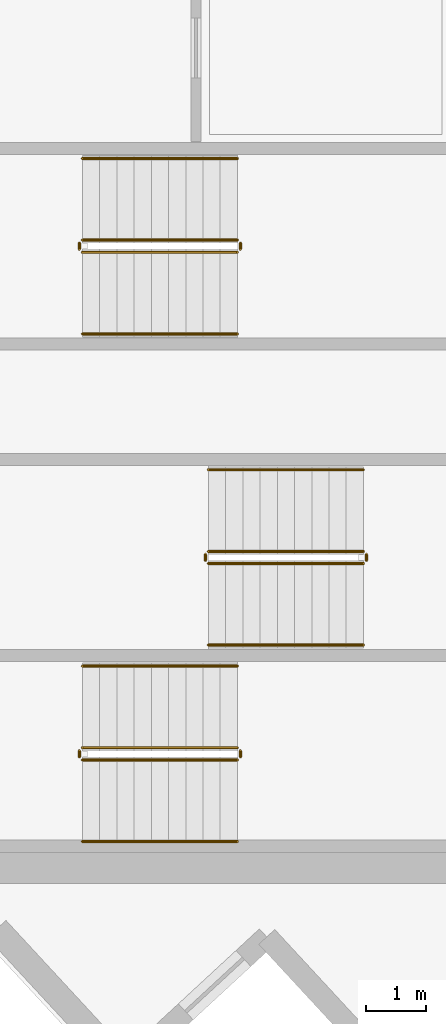
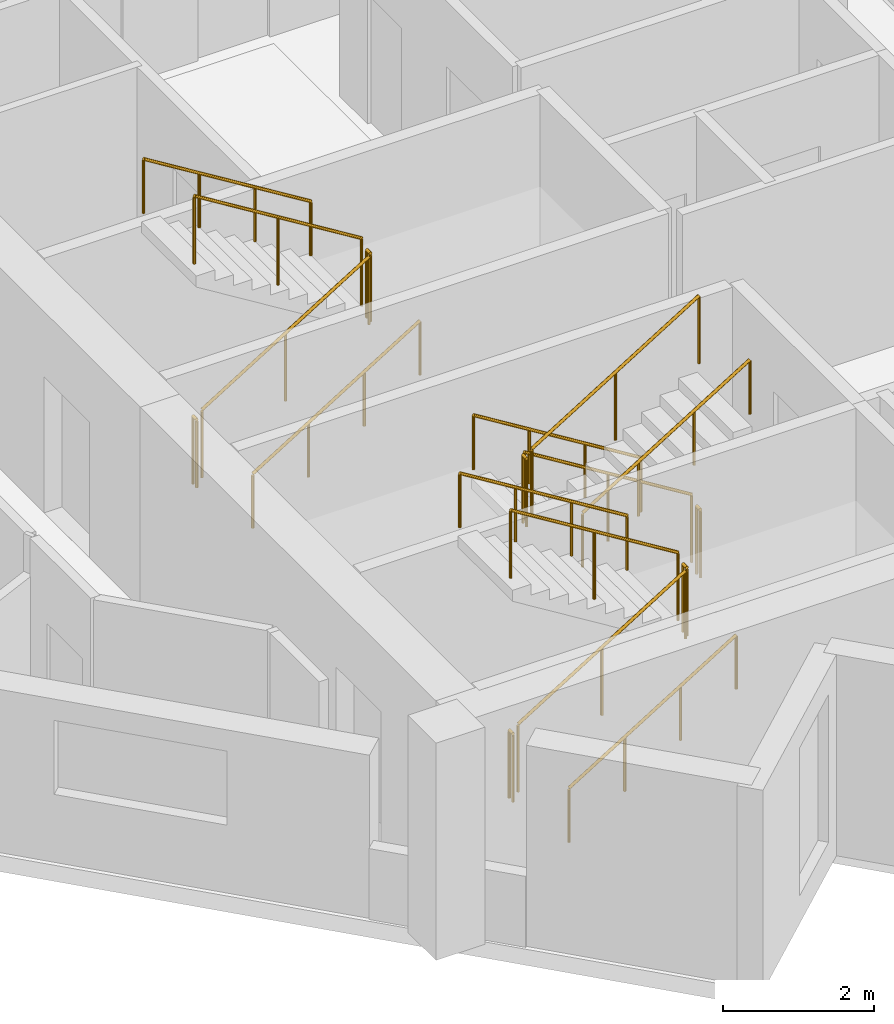
# One storey, part 12 of 13: 18 railings.
"""IFC4 building model written with IfcOpenShell, lengths in metres."""

from ifc_helpers import new_model, si_unit, direction, frame, origin, origin_2d, place, context, subcontext, project, spatial, circle, extrude, material, type_object, element, save


model = new_model("IFC4")

# Units and contexts
model_context = context("Model", 3, precision=1e-05, world=origin(), true_north=direction((0.0, 1.0)))
body_context = subcontext(model_context, "Body", "Model", "MODEL_VIEW")
ifc_project = project(units=[si_unit("LENGTHUNIT", "METRE"), si_unit("AREAUNIT", "SQUARE_METRE"), si_unit("VOLUMEUNIT", "CUBIC_METRE"), si_unit("PLANEANGLEUNIT", "RADIAN"), si_unit("MASSUNIT", "GRAM", prefix="KILO")], contexts=[model_context])

# Site, building, storey
site_placement = place(None, origin())
site = spatial("IfcSite", under=ifc_project, at=site_placement, CompositionType="ELEMENT")
building_placement = place(site_placement, origin())
building = spatial("IfcBuilding", under=site, at=building_placement, Name="Narakoshi Arena Tower", CompositionType="ELEMENT")
storey_placement = place(building_placement, frame((0.0, 0.0, 278.340087890625)))
storey = spatial("IfcBuildingStorey", under=building, at=storey_placement, Name="L76", CompositionType="ELEMENT", Elevation=278.340087890625)

# Railings
ifc_material_1 = material(Name="Clear low-iron laminated structural glass", Category="glass")
railing_type_1 = type_object("IfcRailingType", Name="RL-BAL-1100", PredefinedType="BALUSTRADE", material=ifc_material_1)
railing_1_placement = place(storey_placement, frame((74.39990234375, 36.949951171875, 0.176025390625)))
element("IfcRailing", 1, at=railing_1_placement, inside=storey, type_object=railing_type_1, Name="L76 ST1 stair guard 1", PredefinedType="BALUSTRADE", context=body_context, shape_type="SweptSolid", body=[
    extrude(circle(Radius=0.02392578125, at=origin_2d()), frame((0.0, 0.0, 1.09619140625), z_axis=(0.850856559306, 0.0, 0.525398054323), x_axis=(0.0, 1.0, 0.0)), (0.0, 0.0, 1.0), 3.014892578125),
    extrude(circle(Radius=0.02099609375, at=origin_2d()), origin(), (0.0, 0.0, 1.0), 1.072021484375),
    extrude(circle(Radius=0.02099609375, at=origin_2d()), frame((1.28271484375, 0.0, 0.7919921875)), (0.0, 0.0, 1.0), 1.072021484375),
    extrude(circle(Radius=0.02099609375, at=origin_2d()), frame((2.565185546875, 0.0, 1.583984375)), (0.0, 0.0, 1.0), 1.072021484375),
])
railing_2_placement = place(storey_placement, frame((77.014892578125, 37.0, 1.760009765625)))
element("IfcRailing", 2, at=railing_2_placement, inside=storey, type_object=railing_type_1, Name="L76 ST1 stair guard 2", PredefinedType="BALUSTRADE", context=body_context, shape_type="SweptSolid", body=[
    extrude(circle(Radius=0.02392578125, at=origin_2d()), frame((0.0, 0.0, 1.09619140625), z_axis=(0.0, 1.0, 0.0), x_axis=(-1.0, 0.0, 0.0)), (0.0, 0.0, 1.0), 0.10009765625),
    extrude(circle(Radius=0.02099609375, at=origin_2d()), origin(), (0.0, 0.0, 1.0), 1.072021484375),
    extrude(circle(Radius=0.02099609375, at=origin_2d()), frame((0.0, 0.10009765625, 0.0)), (0.0, 0.0, 1.0), 1.072021484375),
])
railing_3_placement = place(storey_placement, frame((76.965087890625, 37.14990234375, 1.935791015625)))
element("IfcRailing", 3, at=railing_3_placement, inside=storey, type_object=railing_type_1, Name="L76 ST1 stair guard 3", PredefinedType="BALUSTRADE", context=body_context, shape_type="SweptSolid", body=[
    extrude(circle(Radius=0.02392578125, at=origin_2d()), frame((0.0, 0.0, 1.09619140625), z_axis=(-0.850820357671, 0.0, 0.52545667659), x_axis=(0.0, -1.0, 0.0)), (0.0, 0.0, 1.0), 3.014892578125),
    extrude(circle(Radius=0.02099609375, at=origin_2d()), origin(), (0.0, 0.0, 1.0), 1.072021484375),
    extrude(circle(Radius=0.02099609375, at=origin_2d()), frame((-1.28271484375, 0.0, 0.7919921875)), (0.0, 0.0, 1.0), 1.072021484375),
    extrude(circle(Radius=0.02099609375, at=origin_2d()), frame((-2.565185546875, 0.0, 1.584228515625)), (0.0, 0.0, 1.0), 1.072021484375),
])
railing_4_placement = place(storey_placement, frame((74.35009765625, 37.0, 0.0)))
element("IfcRailing", 4, at=railing_4_placement, inside=storey, type_object=railing_type_1, Name="L76 ST1 stair guard 4", PredefinedType="BALUSTRADE", context=body_context, shape_type="SweptSolid", body=[
    extrude(circle(Radius=0.02392578125, at=origin_2d()), frame((0.0, 0.0, 1.09619140625), z_axis=(0.0, 1.0, 0.0), x_axis=(-1.0, 0.0, 0.0)), (0.0, 0.0, 1.0), 0.10009765625),
    extrude(circle(Radius=0.02099609375, at=origin_2d()), origin(), (0.0, 0.0, 1.0), 1.072021484375),
    extrude(circle(Radius=0.02099609375, at=origin_2d()), frame((0.0, 0.10009765625, 0.0)), (0.0, 0.0, 1.0), 1.072021484375),
])
railing_5_placement = place(storey_placement, frame((79.050048828125, 40.39990234375, 0.176025390625)))
element("IfcRailing", 5, at=railing_5_placement, inside=storey, type_object=railing_type_1, Name="L76 ST2 stair guard 1", PredefinedType="BALUSTRADE", context=body_context, shape_type="SweptSolid", body=[
    extrude(circle(Radius=0.02392578125, at=origin_2d()), frame((0.0, 0.0, 1.09619140625), z_axis=(-0.850834203031, 0.0, 0.525434257497), x_axis=(0.0, -1.0, 0.0)), (0.0, 0.0, 1.0), 3.0146484375),
    extrude(circle(Radius=0.02099609375, at=origin_2d()), origin(), (0.0, 0.0, 1.0), 1.072021484375),
    extrude(circle(Radius=0.02099609375, at=origin_2d()), frame((-1.282470703125, 0.0, 0.7919921875)), (0.0, 0.0, 1.0), 1.072021484375),
    extrude(circle(Radius=0.02099609375, at=origin_2d()), frame((-2.56494140625, 0.0, 1.583984375)), (0.0, 0.0, 1.0), 1.072021484375),
])
railing_6_placement = place(storey_placement, frame((76.43505859375, 40.35009765625, 1.760009765625)))
element("IfcRailing", 6, at=railing_6_placement, inside=storey, type_object=railing_type_1, Name="L76 ST2 stair guard 2", PredefinedType="BALUSTRADE", context=body_context, shape_type="SweptSolid", body=[
    extrude(circle(Radius=0.02392578125, at=origin_2d()), frame((0.0, 0.0, 1.09619140625), z_axis=(0.0, -1.0, 0.0), x_axis=(1.0, 0.0, 0.0)), (0.0, 0.0, 1.0), 0.10009765625),
    extrude(circle(Radius=0.02099609375, at=origin_2d()), origin(), (0.0, 0.0, 1.0), 1.072021484375),
    extrude(circle(Radius=0.02099609375, at=origin_2d()), frame((0.0, -0.10009765625, 0.0)), (0.0, 0.0, 1.0), 1.072021484375),
])
railing_7_placement = place(storey_placement, frame((76.485107421875, 40.199951171875, 1.935791015625)))
element("IfcRailing", 7, at=railing_7_placement, inside=storey, type_object=railing_type_1, Name="L76 ST2 stair guard 3", PredefinedType="BALUSTRADE", context=body_context, shape_type="SweptSolid", body=[
    extrude(circle(Radius=0.02392578125, at=origin_2d()), frame((0.0, 0.0, 1.09619140625), z_axis=(0.850797997359, 0.0, 0.525492880722), x_axis=(0.0, 1.0, 0.0)), (0.0, 0.0, 1.0), 3.0146484375),
    extrude(circle(Radius=0.02099609375, at=origin_2d()), origin(), (0.0, 0.0, 1.0), 1.072021484375),
    extrude(circle(Radius=0.02099609375, at=origin_2d()), frame((1.282470703125, 0.0, 0.7919921875)), (0.0, 0.0, 1.0), 1.072021484375),
    extrude(circle(Radius=0.02099609375, at=origin_2d()), frame((2.56494140625, 0.0, 1.584228515625)), (0.0, 0.0, 1.0), 1.072021484375),
])
railing_8_placement = place(storey_placement, frame((79.10009765625, 40.35009765625, 0.0)))
element("IfcRailing", 8, at=railing_8_placement, inside=storey, type_object=railing_type_1, Name="L76 ST2 stair guard 4", PredefinedType="BALUSTRADE", context=body_context, shape_type="SweptSolid", body=[
    extrude(circle(Radius=0.02392578125, at=origin_2d()), frame((0.0, 0.0, 1.09619140625), z_axis=(0.0, -1.0, 0.0), x_axis=(1.0, 0.0, 0.0)), (0.0, 0.0, 1.0), 0.10009765625),
    extrude(circle(Radius=0.02099609375, at=origin_2d()), origin(), (0.0, 0.0, 1.0), 1.072021484375),
    extrude(circle(Radius=0.02099609375, at=origin_2d()), frame((0.0, -0.10009765625, 0.0)), (0.0, 0.0, 1.0), 1.072021484375),
])
railing_9_placement = place(storey_placement, frame((74.39990234375, 45.35009765625, 0.176025390625)))
element("IfcRailing", 9, at=railing_9_placement, inside=storey, type_object=railing_type_1, Name="L76 ST3 stair guard 1", PredefinedType="BALUSTRADE", context=body_context, shape_type="SweptSolid", body=[
    extrude(circle(Radius=0.02392578125, at=origin_2d()), frame((0.0, 0.0, 1.09619140625), z_axis=(0.850856559306, 0.0, 0.525398054323), x_axis=(0.0, 1.0, 0.0)), (0.0, 0.0, 1.0), 3.014892578125),
    extrude(circle(Radius=0.02099609375, at=origin_2d()), origin(), (0.0, 0.0, 1.0), 1.072021484375),
    extrude(circle(Radius=0.02099609375, at=origin_2d()), frame((1.28271484375, 0.0, 0.7919921875)), (0.0, 0.0, 1.0), 1.072021484375),
    extrude(circle(Radius=0.02099609375, at=origin_2d()), frame((2.565185546875, 0.0, 1.583984375)), (0.0, 0.0, 1.0), 1.072021484375),
])
railing_10_placement = place(storey_placement, frame((77.014892578125, 45.39990234375, 1.760009765625)))
element("IfcRailing", 10, at=railing_10_placement, inside=storey, type_object=railing_type_1, Name="L76 ST3 stair guard 2", PredefinedType="BALUSTRADE", context=body_context, shape_type="SweptSolid", body=[
    extrude(circle(Radius=0.02392578125, at=origin_2d()), frame((0.0, 0.0, 1.09619140625), z_axis=(0.0, 1.0, 0.0), x_axis=(-1.0, 0.0, 0.0)), (0.0, 0.0, 1.0), 0.10009765625),
    extrude(circle(Radius=0.02099609375, at=origin_2d()), origin(), (0.0, 0.0, 1.0), 1.072021484375),
    extrude(circle(Radius=0.02099609375, at=origin_2d()), frame((0.0, 0.10009765625, 0.0)), (0.0, 0.0, 1.0), 1.072021484375),
])
railing_11_placement = place(storey_placement, frame((76.965087890625, 45.550048828125, 1.935791015625)))
element("IfcRailing", 11, at=railing_11_placement, inside=storey, type_object=railing_type_1, Name="L76 ST3 stair guard 3", PredefinedType="BALUSTRADE", context=body_context, shape_type="SweptSolid", body=[
    extrude(circle(Radius=0.02392578125, at=origin_2d()), frame((0.0, 0.0, 1.09619140625), z_axis=(-0.850820357671, 0.0, 0.52545667659), x_axis=(0.0, -1.0, 0.0)), (0.0, 0.0, 1.0), 3.014892578125),
    extrude(circle(Radius=0.02099609375, at=origin_2d()), origin(), (0.0, 0.0, 1.0), 1.072021484375),
    extrude(circle(Radius=0.02099609375, at=origin_2d()), frame((-1.28271484375, 0.0, 0.7919921875)), (0.0, 0.0, 1.0), 1.072021484375),
    extrude(circle(Radius=0.02099609375, at=origin_2d()), frame((-2.565185546875, 0.0, 1.584228515625)), (0.0, 0.0, 1.0), 1.072021484375),
])
railing_12_placement = place(storey_placement, frame((74.35009765625, 45.39990234375, 0.0)))
element("IfcRailing", 12, at=railing_12_placement, inside=storey, type_object=railing_type_1, Name="L76 ST3 stair guard 4", PredefinedType="BALUSTRADE", context=body_context, shape_type="SweptSolid", body=[
    extrude(circle(Radius=0.02392578125, at=origin_2d()), frame((0.0, 0.0, 1.09619140625), z_axis=(0.0, 1.0, 0.0), x_axis=(-1.0, 0.0, 0.0)), (0.0, 0.0, 1.0), 0.10009765625),
    extrude(circle(Radius=0.02099609375, at=origin_2d()), origin(), (0.0, 0.0, 1.0), 1.072021484375),
    extrude(circle(Radius=0.02099609375, at=origin_2d()), frame((0.0, 0.10009765625, 0.0)), (0.0, 0.0, 1.0), 1.072021484375),
])
ifc_material_2 = material(Name="Brushed bronze stainless steel", Category="steel")
railing_type_2 = type_object("IfcRailingType", Name="RL-HND-900", PredefinedType="HANDRAIL", material=ifc_material_2)
railing_13_placement = place(storey_placement, frame((74.39990234375, 35.60009765625, 0.176025390625)))
element("IfcRailing", 13, at=railing_13_placement, inside=storey, type_object=railing_type_2, Name="L76 ST1 stair handrail 1", PredefinedType="HANDRAIL", context=body_context, shape_type="SweptSolid", body=[
    extrude(circle(Radius=0.02392578125, at=origin_2d()), frame((0.0, 0.0, 0.8759765625), z_axis=(0.850856559306, 0.0, 0.525398054323), x_axis=(0.0, 1.0, 0.0)), (0.0, 0.0, 1.0), 3.014892578125),
    extrude(circle(Radius=0.02099609375, at=origin_2d()), origin(), (0.0, 0.0, 1.0), 0.851806640625),
    extrude(circle(Radius=0.02099609375, at=origin_2d()), frame((0.85498046875, 0.0, 0.528076171875)), (0.0, 0.0, 1.0), 0.851806640625),
    extrude(circle(Radius=0.02099609375, at=origin_2d()), frame((1.710205078125, 0.0, 1.055908203125)), (0.0, 0.0, 1.0), 0.851806640625),
    extrude(circle(Radius=0.02099609375, at=origin_2d()), frame((2.565185546875, 0.0, 1.583984375)), (0.0, 0.0, 1.0), 0.851806640625),
])
railing_14_placement = place(storey_placement, frame((76.965087890625, 38.5, 1.935791015625)))
element("IfcRailing", 14, at=railing_14_placement, inside=storey, type_object=railing_type_2, Name="L76 ST1 stair handrail 2", PredefinedType="HANDRAIL", context=body_context, shape_type="SweptSolid", body=[
    extrude(circle(Radius=0.02392578125, at=origin_2d()), frame((0.0, 0.0, 0.8759765625), z_axis=(-0.850820357671, 0.0, 0.52545667659), x_axis=(0.0, -1.0, 0.0)), (0.0, 0.0, 1.0), 3.014892578125),
    extrude(circle(Radius=0.02099609375, at=origin_2d()), origin(), (0.0, 0.0, 1.0), 0.851806640625),
    extrude(circle(Radius=0.02099609375, at=origin_2d()), frame((-0.85498046875, 0.0, 0.528076171875)), (0.0, 0.0, 1.0), 0.851806640625),
    extrude(circle(Radius=0.02099609375, at=origin_2d()), frame((-1.710205078125, 0.0, 1.05615234375)), (0.0, 0.0, 1.0), 0.851806640625),
    extrude(circle(Radius=0.02099609375, at=origin_2d()), frame((-2.565185546875, 0.0, 1.584228515625)), (0.0, 0.0, 1.0), 0.851806640625),
])
railing_15_placement = place(storey_placement, frame((79.050048828125, 41.75, 0.176025390625)))
element("IfcRailing", 15, at=railing_15_placement, inside=storey, type_object=railing_type_2, Name="L76 ST2 stair handrail 1", PredefinedType="HANDRAIL", context=body_context, shape_type="SweptSolid", body=[
    extrude(circle(Radius=0.02392578125, at=origin_2d()), frame((0.0, 0.0, 0.8759765625), z_axis=(-0.850834203031, 0.0, 0.525434257497), x_axis=(0.0, -1.0, 0.0)), (0.0, 0.0, 1.0), 3.0146484375),
    extrude(circle(Radius=0.02099609375, at=origin_2d()), origin(), (0.0, 0.0, 1.0), 0.851806640625),
    extrude(circle(Radius=0.02099609375, at=origin_2d()), frame((-0.85498046875, 0.0, 0.528076171875)), (0.0, 0.0, 1.0), 0.851806640625),
    extrude(circle(Radius=0.02099609375, at=origin_2d()), frame((-1.7099609375, 0.0, 1.055908203125)), (0.0, 0.0, 1.0), 0.851806640625),
    extrude(circle(Radius=0.02099609375, at=origin_2d()), frame((-2.56494140625, 0.0, 1.583984375)), (0.0, 0.0, 1.0), 0.851806640625),
])
railing_16_placement = place(storey_placement, frame((76.485107421875, 38.85009765625, 1.935791015625)))
element("IfcRailing", 16, at=railing_16_placement, inside=storey, type_object=railing_type_2, Name="L76 ST2 stair handrail 2", PredefinedType="HANDRAIL", context=body_context, shape_type="SweptSolid", body=[
    extrude(circle(Radius=0.02392578125, at=origin_2d()), frame((0.0, 0.0, 0.8759765625), z_axis=(0.850797997359, 0.0, 0.525492880722), x_axis=(0.0, 1.0, 0.0)), (0.0, 0.0, 1.0), 3.0146484375),
    extrude(circle(Radius=0.02099609375, at=origin_2d()), origin(), (0.0, 0.0, 1.0), 0.851806640625),
    extrude(circle(Radius=0.02099609375, at=origin_2d()), frame((0.85498046875, 0.0, 0.528076171875)), (0.0, 0.0, 1.0), 0.851806640625),
    extrude(circle(Radius=0.02099609375, at=origin_2d()), frame((1.7099609375, 0.0, 1.05615234375)), (0.0, 0.0, 1.0), 0.851806640625),
    extrude(circle(Radius=0.02099609375, at=origin_2d()), frame((2.56494140625, 0.0, 1.584228515625)), (0.0, 0.0, 1.0), 0.851806640625),
])
railing_17_placement = place(storey_placement, frame((74.39990234375, 44.0, 0.176025390625)))
element("IfcRailing", 17, at=railing_17_placement, inside=storey, type_object=railing_type_2, Name="L76 ST3 stair handrail 1", PredefinedType="HANDRAIL", context=body_context, shape_type="SweptSolid", body=[
    extrude(circle(Radius=0.02392578125, at=origin_2d()), frame((0.0, 0.0, 0.8759765625), z_axis=(0.850856559306, 0.0, 0.525398054323), x_axis=(0.0, 1.0, 0.0)), (0.0, 0.0, 1.0), 3.014892578125),
    extrude(circle(Radius=0.02099609375, at=origin_2d()), origin(), (0.0, 0.0, 1.0), 0.851806640625),
    extrude(circle(Radius=0.02099609375, at=origin_2d()), frame((0.85498046875, 0.0, 0.528076171875)), (0.0, 0.0, 1.0), 0.851806640625),
    extrude(circle(Radius=0.02099609375, at=origin_2d()), frame((1.710205078125, 0.0, 1.055908203125)), (0.0, 0.0, 1.0), 0.851806640625),
    extrude(circle(Radius=0.02099609375, at=origin_2d()), frame((2.565185546875, 0.0, 1.583984375)), (0.0, 0.0, 1.0), 0.851806640625),
])
railing_18_placement = place(storey_placement, frame((76.965087890625, 46.89990234375, 1.935791015625)))
element("IfcRailing", 18, at=railing_18_placement, inside=storey, type_object=railing_type_2, Name="L76 ST3 stair handrail 2", PredefinedType="HANDRAIL", context=body_context, shape_type="SweptSolid", body=[
    extrude(circle(Radius=0.02392578125, at=origin_2d()), frame((0.0, 0.0, 0.8759765625), z_axis=(-0.850820357671, 0.0, 0.52545667659), x_axis=(0.0, -1.0, 0.0)), (0.0, 0.0, 1.0), 3.014892578125),
    extrude(circle(Radius=0.02099609375, at=origin_2d()), origin(), (0.0, 0.0, 1.0), 0.851806640625),
    extrude(circle(Radius=0.02099609375, at=origin_2d()), frame((-0.85498046875, 0.0, 0.528076171875)), (0.0, 0.0, 1.0), 0.851806640625),
    extrude(circle(Radius=0.02099609375, at=origin_2d()), frame((-1.710205078125, 0.0, 1.05615234375)), (0.0, 0.0, 1.0), 0.851806640625),
    extrude(circle(Radius=0.02099609375, at=origin_2d()), frame((-2.565185546875, 0.0, 1.584228515625)), (0.0, 0.0, 1.0), 0.851806640625),
])

save(model, "model.ifc")
